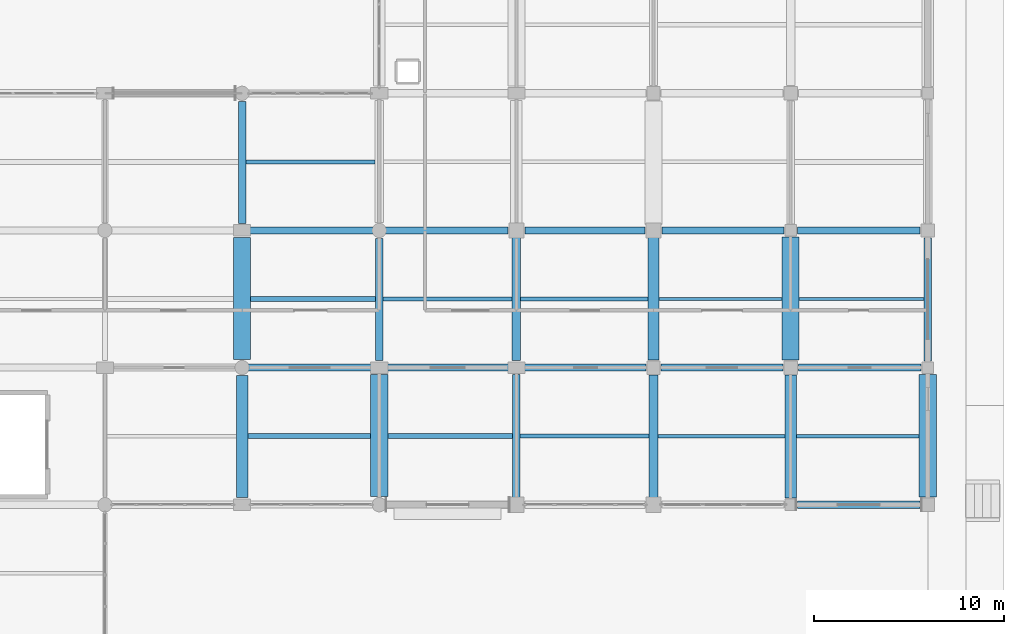
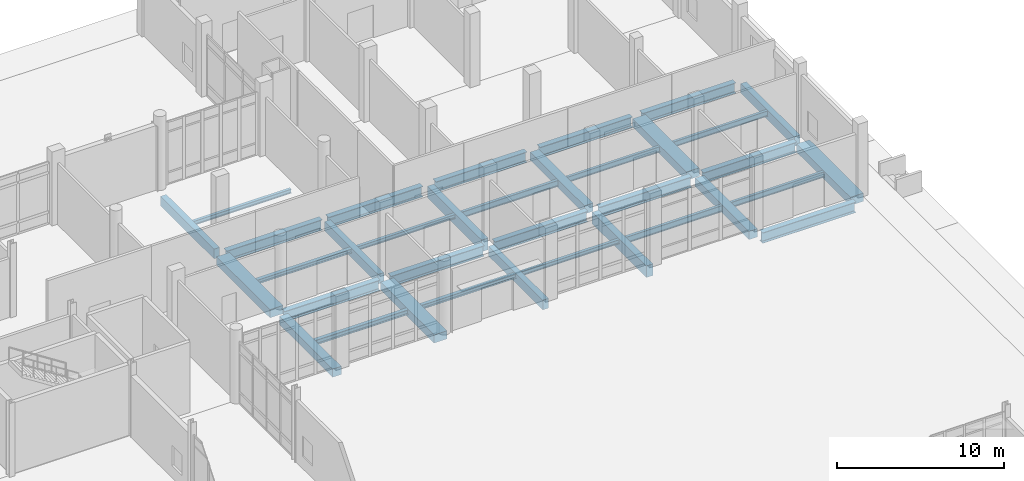
# One storey, part 131 of 229: 35 beams.
"""IFC4 building model written with IfcOpenShell, lengths in metres."""

from ifc_helpers import new_model, si_unit, direction, frame, origin, origin_2d, place, context, subcontext, project, spatial, rectangle, i_section, extrude, material, material_profile, profile_set, type_object, element, save


model = new_model("IFC4")

# Units and contexts
model_context = context("Model", 3, precision=1e-05, world=origin(), true_north=direction((0.0, 1.0)))
body_context = subcontext(model_context, "Body", "Model", "MODEL_VIEW")
ifc_project = project(units=[si_unit("LENGTHUNIT", "METRE"), si_unit("AREAUNIT", "SQUARE_METRE"), si_unit("VOLUMEUNIT", "CUBIC_METRE"), si_unit("PLANEANGLEUNIT", "RADIAN"), si_unit("MASSUNIT", "GRAM", prefix="KILO")], contexts=[model_context])

# Site, building, storey
site_placement = place(None, origin())
site = spatial("IfcSite", under=ifc_project, at=site_placement, CompositionType="ELEMENT")
building_placement = place(site_placement, origin())
building = spatial("IfcBuilding", under=site, at=building_placement, Name="Calvrana Isthmian Art Gallery", CompositionType="ELEMENT")
storey_placement = place(building_placement, origin())
storey = spatial("IfcBuildingStorey", under=building, at=storey_placement, Name="L00", CompositionType="ELEMENT", Elevation=0.0)

# Beams
ifc_material_1 = material(Name="Steel ASTM A992 Gr 50", Category="steel")
ifc_material_profile_1 = material_profile(ifc_material_1, i_section(OverallWidth=0.381103515625, OverallDepth=0.77197265625, WebThickness=0.0166015625, FlangeThickness=0.027099609375, FilletRadius=0.02490234375, at=origin_2d()), Name="W30X173")
ifc_profile_set_1 = profile_set([ifc_material_profile_1], Name="Steel ASTM A992 Gr 50")
beam_type_1 = type_object("IfcBeamType", Name="BM-G-W30X173", PredefinedType="BEAM", material=ifc_profile_set_1)
beam_1_placement = place(storey_placement, frame((156.35009765625, 76.800048828125, -0.740966796875), z_axis=(1.0, 0.0, 0.0), x_axis=(0.0, 1.0, 0.0)))
element("IfcBeam", 1, at=beam_1_placement, inside=storey, type_object=beam_type_1, Name="Girder X L00 21-22/K", PredefinedType="BEAM", context=body_context, shape_type="SweptSolid", body=[
    extrude(i_section(OverallWidth=0.381103515625, OverallDepth=0.77197265625, WebThickness=0.0166015625, FlangeThickness=0.027099609375, FilletRadius=0.02490234375, at=origin_2d()), origin(), (0.0, 0.0, 1.0), 6.449951171875),
])
beam_2_placement = place(storey_placement, frame((127.425048828125, 84.0, -0.740966796875), z_axis=(1.0, 0.0, 0.0), x_axis=(0.0, 1.0, 0.0)))
element("IfcBeam", 2, at=beam_2_placement, inside=storey, type_object=beam_type_1, Name="Girder X L00 17-18/L", PredefinedType="BEAM", context=body_context, shape_type="SweptSolid", body=[
    extrude(i_section(OverallWidth=0.381103515625, OverallDepth=0.77197265625, WebThickness=0.0166015625, FlangeThickness=0.027099609375, FilletRadius=0.02490234375, at=origin_2d()), origin(), (0.0, 0.0, 1.0), 6.599853515625),
])
beam_3_placement = place(storey_placement, frame((134.77490234375, 84.0, -0.740966796875), z_axis=(1.0, 0.0, 0.0), x_axis=(0.0, 1.0, 0.0)))
element("IfcBeam", 3, at=beam_3_placement, inside=storey, type_object=beam_type_1, Name="Girder X L00 18-19/L", PredefinedType="BEAM", context=body_context, shape_type="SweptSolid", body=[
    extrude(i_section(OverallWidth=0.381103515625, OverallDepth=0.77197265625, WebThickness=0.0166015625, FlangeThickness=0.027099609375, FilletRadius=0.02490234375, at=origin_2d()), origin(), (0.0, 0.0, 1.0), 6.4501953125),
])
beam_4_placement = place(storey_placement, frame((141.97509765625, 84.0, -0.740966796875), z_axis=(1.0, 0.0, 0.0), x_axis=(0.0, 1.0, 0.0)))
element("IfcBeam", 4, at=beam_4_placement, inside=storey, type_object=beam_type_1, Name="Girder X L00 19-20/L", PredefinedType="BEAM", context=body_context, shape_type="SweptSolid", body=[
    extrude(i_section(OverallWidth=0.381103515625, OverallDepth=0.77197265625, WebThickness=0.0166015625, FlangeThickness=0.027099609375, FilletRadius=0.02490234375, at=origin_2d()), origin(), (0.0, 0.0, 1.0), 6.4248046875),
])
beam_5_placement = place(storey_placement, frame((149.199951171875, 84.0, -0.740966796875), z_axis=(1.0, 0.0, 0.0), x_axis=(0.0, 1.0, 0.0)))
element("IfcBeam", 5, at=beam_5_placement, inside=storey, type_object=beam_type_1, Name="Girder X L00 20-21/L", PredefinedType="BEAM", context=body_context, shape_type="SweptSolid", body=[
    extrude(i_section(OverallWidth=0.381103515625, OverallDepth=0.77197265625, WebThickness=0.0166015625, FlangeThickness=0.027099609375, FilletRadius=0.02490234375, at=origin_2d()), origin(), (0.0, 0.0, 1.0), 6.400146484375),
])
beam_6_placement = place(storey_placement, frame((156.39990234375, 84.0, -0.740966796875), z_axis=(1.0, 0.0, 0.0), x_axis=(0.0, 1.0, 0.0)))
element("IfcBeam", 6, at=beam_6_placement, inside=storey, type_object=beam_type_1, Name="Girder X L00 21-22/L", PredefinedType="BEAM", context=body_context, shape_type="SweptSolid", body=[
    extrude(i_section(OverallWidth=0.381103515625, OverallDepth=0.77197265625, WebThickness=0.0166015625, FlangeThickness=0.027099609375, FilletRadius=0.02490234375, at=origin_2d()), origin(), (0.0, 0.0, 1.0), 6.4501953125),
])
beam_7_placement = place(storey_placement, frame((127.574951171875, 91.199951171875, -0.740966796875), z_axis=(1.0, 0.0, 0.0), x_axis=(0.0, 1.0, 0.0)))
element("IfcBeam", 7, at=beam_7_placement, inside=storey, type_object=beam_type_1, Name="Girder X L00 17-18/M", PredefinedType="BEAM", context=body_context, shape_type="SweptSolid", body=[
    extrude(i_section(OverallWidth=0.381103515625, OverallDepth=0.77197265625, WebThickness=0.0166015625, FlangeThickness=0.027099609375, FilletRadius=0.02490234375, at=origin_2d()), origin(), (0.0, 0.0, 1.0), 6.60009765625),
])
beam_8_placement = place(storey_placement, frame((134.625, 91.199951171875, -0.740966796875), z_axis=(1.0, 0.0, 0.0), x_axis=(0.0, 1.0, 0.0)))
element("IfcBeam", 8, at=beam_8_placement, inside=storey, type_object=beam_type_1, Name="Girder X L00 18-19/M", PredefinedType="BEAM", context=body_context, shape_type="SweptSolid", body=[
    extrude(i_section(OverallWidth=0.381103515625, OverallDepth=0.77197265625, WebThickness=0.0166015625, FlangeThickness=0.027099609375, FilletRadius=0.02490234375, at=origin_2d()), origin(), (0.0, 0.0, 1.0), 6.52490234375),
])
beam_9_placement = place(storey_placement, frame((142.050048828125, 91.199951171875, -0.740966796875), z_axis=(1.0, 0.0, 0.0), x_axis=(0.0, 1.0, 0.0)))
element("IfcBeam", 9, at=beam_9_placement, inside=storey, type_object=beam_type_1, Name="Girder X L00 19-20/M", PredefinedType="BEAM", context=body_context, shape_type="SweptSolid", body=[
    extrude(i_section(OverallWidth=0.381103515625, OverallDepth=0.77197265625, WebThickness=0.0166015625, FlangeThickness=0.027099609375, FilletRadius=0.02490234375, at=origin_2d()), origin(), (0.0, 0.0, 1.0), 6.300048828125),
])
beam_10_placement = place(storey_placement, frame((149.25, 91.199951171875, -0.740966796875), z_axis=(1.0, 0.0, 0.0), x_axis=(0.0, 1.0, 0.0)))
element("IfcBeam", 10, at=beam_10_placement, inside=storey, type_object=beam_type_1, Name="Girder X L00 20-21/M", PredefinedType="BEAM", context=body_context, shape_type="SweptSolid", body=[
    extrude(i_section(OverallWidth=0.381103515625, OverallDepth=0.77197265625, WebThickness=0.0166015625, FlangeThickness=0.027099609375, FilletRadius=0.02490234375, at=origin_2d()), origin(), (0.0, 0.0, 1.0), 6.39990234375),
])
beam_11_placement = place(storey_placement, frame((156.35009765625, 91.199951171875, -0.740966796875), z_axis=(1.0, 0.0, 0.0), x_axis=(0.0, 1.0, 0.0)))
element("IfcBeam", 11, at=beam_11_placement, inside=storey, type_object=beam_type_1, Name="Girder X L00 21-22/M", PredefinedType="BEAM", context=body_context, shape_type="SweptSolid", body=[
    extrude(i_section(OverallWidth=0.381103515625, OverallDepth=0.77197265625, WebThickness=0.0166015625, FlangeThickness=0.027099609375, FilletRadius=0.02490234375, at=origin_2d()), origin(), (0.0, 0.0, 1.0), 6.449951171875),
])
ifc_material_profile_2 = material_profile(ifc_material_1, i_section(OverallWidth=0.202880859375, OverallDepth=0.302001953125, WebThickness=0.007568359375, FlangeThickness=0.01318359375, FilletRadius=0.01611328125, at=origin_2d()), Name="W12X40")
ifc_profile_set_2 = profile_set([ifc_material_profile_2], Name="Steel ASTM A992 Gr 50")
beam_type_2 = type_object("IfcBeamType", Name="BM-J-W12X40", PredefinedType="JOIST", material=ifc_profile_set_2)
beam_12_placement = place(storey_placement, frame((127.39990234375, 94.800048828125, -0.506103515625), z_axis=(1.0, 0.0, 0.0), x_axis=(0.0, 1.0, 0.0)))
element("IfcBeam", 12, at=beam_12_placement, inside=storey, type_object=beam_type_2, Name="Composite joist L00 bay 16-12", PredefinedType="JOIST", context=body_context, shape_type="SweptSolid", body=[
    extrude(i_section(OverallWidth=0.202880859375, OverallDepth=0.302001953125, WebThickness=0.007568359375, FlangeThickness=0.01318359375, FilletRadius=0.01611328125, at=origin_2d()), origin(), (0.0, 0.0, 1.0), 6.775146484375),
])
for number, where, z_axis, x_axis, name in (
    (13, (134.60009765625, 87.60009765625, -0.506103515625), (1.0, 0.0, 0.0), (0.0, 1.0, 0.0), "Composite joist L00 bay 17-11"),
    (14, (141.800048828125, 80.39990234375, -0.506103515625), (1.0, 0.0, 0.0), (0.0, 1.0, 0.0), "Composite joist L00 bay 18-10"),
):
    element("IfcBeam", number, at=place(storey_placement, frame(where, z_axis=z_axis, x_axis=x_axis)), inside=storey, type_object=beam_type_2, Name=name, PredefinedType="JOIST", context=body_context, shape_type="SweptSolid", body=[
        extrude(i_section(OverallWidth=0.202880859375, OverallDepth=0.302001953125, WebThickness=0.007568359375, FlangeThickness=0.01318359375, FilletRadius=0.01611328125, at=origin_2d()), origin(), (0.0, 0.0, 1.0), 6.77490234375),
    ])
ifc_material_profile_3 = material_profile(ifc_material_1, i_section(OverallWidth=0.25390625, OverallDepth=0.306884765625, WebThickness=0.0087890625, FlangeThickness=0.0146484375, FilletRadius=0.01611328125, at=origin_2d()), Name="W12X53")
ifc_profile_set_3 = profile_set([ifc_material_profile_3], Name="Steel ASTM A992 Gr 50")
beam_type_3 = type_object("IfcBeamType", Name="BM-J-W12X53", PredefinedType="JOIST", material=ifc_profile_set_3)
beam_13_placement = place(storey_placement, frame((127.64990234375, 87.60009765625, -0.508544921875), z_axis=(1.0, 0.0, 0.0), x_axis=(0.0, 1.0, 0.0)))
element("IfcBeam", 15, at=beam_13_placement, inside=storey, type_object=beam_type_3, Name="Composite joist L00 bay 16-11", PredefinedType="JOIST", context=body_context, shape_type="SweptSolid", body=[
    extrude(i_section(OverallWidth=0.25390625, OverallDepth=0.306884765625, WebThickness=0.0087890625, FlangeThickness=0.0146484375, FilletRadius=0.01611328125, at=origin_2d()), origin(), (0.0, 0.0, 1.0), 6.550048828125),
])
beam_14_placement = place(storey_placement, frame((134.85009765625, 80.39990234375, -0.508544921875), z_axis=(1.0, 0.0, 0.0), x_axis=(0.0, 1.0, 0.0)))
element("IfcBeam", 16, at=beam_14_placement, inside=storey, type_object=beam_type_3, Name="Composite joist L00 bay 17-10", PredefinedType="JOIST", context=body_context, shape_type="SweptSolid", body=[
    extrude(i_section(OverallWidth=0.25390625, OverallDepth=0.306884765625, WebThickness=0.0087890625, FlangeThickness=0.0146484375, FilletRadius=0.01611328125, at=origin_2d()), origin(), (0.0, 0.0, 1.0), 6.5498046875),
])
ifc_material_profile_4 = material_profile(ifc_material_1, i_section(OverallWidth=0.25390625, OverallDepth=0.35302734375, WebThickness=0.009521484375, FlangeThickness=0.016357421875, FilletRadius=0.01806640625, at=origin_2d()), Name="W14X61")
ifc_profile_set_4 = profile_set([ifc_material_profile_4], Name="Steel ASTM A992 Gr 50")
beam_type_4 = type_object("IfcBeamType", Name="BM-J-W14X61", PredefinedType="JOIST", material=ifc_profile_set_4)
beam_15_placement = place(storey_placement, frame((127.5, 80.39990234375, -0.531494140625), z_axis=(1.0, 0.0, 0.0), x_axis=(0.0, 1.0, 0.0)))
element("IfcBeam", 17, at=beam_15_placement, inside=storey, type_object=beam_type_4, Name="Composite joist L00 bay 16-10", PredefinedType="JOIST", context=body_context, shape_type="SweptSolid", body=[
    extrude(i_section(OverallWidth=0.25390625, OverallDepth=0.35302734375, WebThickness=0.009521484375, FlangeThickness=0.016357421875, FilletRadius=0.01806640625, at=origin_2d()), origin(), (0.0, 0.0, 1.0), 6.449951171875),
])
ifc_material_profile_5 = material_profile(ifc_material_1, i_section(OverallWidth=0.177978515625, OverallDepth=0.404052734375, WebThickness=0.007568359375, FlangeThickness=0.010986328125, FilletRadius=0.01806640625, at=origin_2d()), Name="W16X36")
ifc_profile_set_5 = profile_set([ifc_material_profile_5], Name="Steel ASTM A992 Gr 50")
beam_type_5 = type_object("IfcBeamType", Name="BM-J-W16X36", PredefinedType="JOIST", material=ifc_profile_set_5)
beam_16_placement = place(storey_placement, frame((156.449951171875, 87.60009765625, -0.556884765625), z_axis=(1.0, 0.0, 0.0), x_axis=(0.0, 1.0, 0.0)))
element("IfcBeam", 18, at=beam_16_placement, inside=storey, type_object=beam_type_5, Name="Composite joist L00 bay 20-11", PredefinedType="JOIST", context=body_context, shape_type="SweptSolid", body=[
    extrude(i_section(OverallWidth=0.177978515625, OverallDepth=0.404052734375, WebThickness=0.007568359375, FlangeThickness=0.010986328125, FilletRadius=0.01806640625, at=origin_2d()), origin(), (0.0, 0.0, 1.0), 6.550048828125),
])
ifc_material_profile_6 = material_profile(ifc_material_1, i_section(OverallWidth=0.179931640625, OverallDepth=0.4140625, WebThickness=0.009765625, FlangeThickness=0.01611328125, FilletRadius=0.01806640625, at=origin_2d()), Name="W16X50")
ifc_profile_set_6 = profile_set([ifc_material_profile_6], Name="Steel ASTM A992 Gr 50")
beam_type_6 = type_object("IfcBeamType", Name="BM-J-W16X50", PredefinedType="JOIST", material=ifc_profile_set_6)
for number, where, z_axis, x_axis, name in (
    (19, (149.10009765625, 87.60009765625, -0.56201171875), (1.0, 0.0, 0.0), (0.0, 1.0, 0.0), "Composite joist L00 bay 19-11"),
    (20, (156.300048828125, 80.39990234375, -0.56201171875), (1.0, 0.0, 0.0), (0.0, 1.0, 0.0), "Composite joist L00 bay 20-10"),
):
    element("IfcBeam", number, at=place(storey_placement, frame(where, z_axis=z_axis, x_axis=x_axis)), inside=storey, type_object=beam_type_6, Name=name, PredefinedType="JOIST", context=body_context, shape_type="SweptSolid", body=[
        extrude(i_section(OverallWidth=0.179931640625, OverallDepth=0.4140625, WebThickness=0.009765625, FlangeThickness=0.01611328125, FilletRadius=0.01806640625, at=origin_2d()), origin(), (0.0, 0.0, 1.0), 6.449951171875),
    ])
ifc_material_profile_7 = material_profile(ifc_material_1, i_section(OverallWidth=0.19091796875, OverallDepth=0.45703125, WebThickness=0.009033203125, FlangeThickness=0.014404296875, FilletRadius=0.02001953125, at=origin_2d()), Name="W18X50")
ifc_profile_set_7 = profile_set([ifc_material_profile_7], Name="Steel ASTM A992 Gr 50")
beam_type_7 = type_object("IfcBeamType", Name="BM-J-W18X50", PredefinedType="JOIST", material=ifc_profile_set_7)
for number, where, z_axis, x_axis, name in (
    (21, (141.824951171875, 87.60009765625, -0.58349609375), (1.0, 0.0, 0.0), (0.0, 1.0, 0.0), "Composite joist L00 bay 18-11"),
    (22, (149.02490234375, 80.39990234375, -0.58349609375), (1.0, 0.0, 0.0), (0.0, 1.0, 0.0), "Composite joist L00 bay 19-10"),
):
    element("IfcBeam", number, at=place(storey_placement, frame(where, z_axis=z_axis, x_axis=x_axis)), inside=storey, type_object=beam_type_7, Name=name, PredefinedType="JOIST", context=body_context, shape_type="SweptSolid", body=[
        extrude(i_section(OverallWidth=0.19091796875, OverallDepth=0.45703125, WebThickness=0.009033203125, FlangeThickness=0.014404296875, FilletRadius=0.02001953125, at=origin_2d()), origin(), (0.0, 0.0, 1.0), 6.675048828125),
    ])
ifc_material_2 = material(Name="Concrete C40/50", Category="concrete")
ifc_material_profile_8 = material_profile(ifc_material_2, rectangle(XDim=0.39990234375, YDim=0.699951171875, at=origin_2d()), Name="RC400X700")
ifc_profile_set_8 = profile_set([ifc_material_profile_8], Name="Concrete C40/50")
beam_type_8 = type_object("IfcBeamType", Name="BM-RC-400X700", PredefinedType="BEAM", material=ifc_profile_set_8)
beam_17_placement = place(storey_placement, frame((127.199951171875, 91.574951171875, -0.705078125), z_axis=(0.0, 1.0, 0.0), x_axis=(-1.0, 0.0, 0.0)))
element("IfcBeam", 23, at=beam_17_placement, inside=storey, type_object=beam_type_8, Name="Girder Y L00 17/M-N", PredefinedType="BEAM", context=body_context, shape_type="SweptSolid", body=[
    extrude(rectangle(XDim=0.39990234375, YDim=0.699951171875, at=origin_2d()), origin(), (0.0, 0.0, 1.0), 6.400146484375),
])
beam_18_placement = place(storey_placement, frame((134.39990234375, 84.375, -0.705078125), z_axis=(0.0, 1.0, 0.0), x_axis=(-1.0, 0.0, 0.0)))
element("IfcBeam", 24, at=beam_18_placement, inside=storey, type_object=beam_type_8, Name="Girder Y L00 18/L-M", PredefinedType="BEAM", context=body_context, shape_type="SweptSolid", body=[
    extrude(rectangle(XDim=0.39990234375, YDim=0.699951171875, at=origin_2d()), origin(), (0.0, 0.0, 1.0), 6.39990234375),
])
beam_19_placement = place(storey_placement, frame((141.60009765625, 77.10009765625, -0.705078125), z_axis=(0.0, 1.0, 0.0), x_axis=(-1.0, 0.0, 0.0)))
element("IfcBeam", 25, at=beam_19_placement, inside=storey, type_object=beam_type_8, Name="Girder Y L00 19/K-L", PredefinedType="BEAM", context=body_context, shape_type="SweptSolid", body=[
    extrude(rectangle(XDim=0.39990234375, YDim=0.699951171875, at=origin_2d()), origin(), (0.0, 0.0, 1.0), 6.52490234375),
])
beam_20_placement = place(storey_placement, frame((163.199951171875, 84.35009765625, -0.705078125), z_axis=(0.0, 1.0, 0.0), x_axis=(-1.0, 0.0, 0.0)))
element("IfcBeam", 26, at=beam_20_placement, inside=storey, type_object=beam_type_8, Name="Girder Y L00 22/L-M", PredefinedType="BEAM", context=body_context, shape_type="SweptSolid", body=[
    extrude(rectangle(XDim=0.39990234375, YDim=0.699951171875, at=origin_2d()), origin(), (0.0, 0.0, 1.0), 6.449951171875),
])
ifc_material_profile_9 = material_profile(ifc_material_2, rectangle(XDim=0.449951171875, YDim=0.85009765625, at=origin_2d()), Name="RC450X850")
ifc_profile_set_9 = profile_set([ifc_material_profile_9], Name="Concrete C40/50")
beam_type_9 = type_object("IfcBeamType", Name="BM-RC-450X850", PredefinedType="BEAM", material=ifc_profile_set_9)
beam_21_placement = place(storey_placement, frame((141.60009765625, 84.375, -0.780029296875), z_axis=(0.0, 1.0, 0.0), x_axis=(-1.0, 0.0, 0.0)))
element("IfcBeam", 27, at=beam_21_placement, inside=storey, type_object=beam_type_9, Name="Girder Y L00 19/L-M", PredefinedType="BEAM", context=body_context, shape_type="SweptSolid", body=[
    extrude(rectangle(XDim=0.449951171875, YDim=0.85009765625, at=origin_2d()), origin(), (0.0, 0.0, 1.0), 6.52490234375),
])
beam_22_placement = place(storey_placement, frame((148.800048828125, 77.10009765625, -0.780029296875), z_axis=(0.0, 1.0, 0.0), x_axis=(-1.0, 0.0, 0.0)))
element("IfcBeam", 28, at=beam_22_placement, inside=storey, type_object=beam_type_9, Name="Girder Y L00 20/K-L", PredefinedType="BEAM", context=body_context, shape_type="SweptSolid", body=[
    extrude(rectangle(XDim=0.449951171875, YDim=0.85009765625, at=origin_2d()), origin(), (0.0, 0.0, 1.0), 6.5),
])
ifc_material_profile_10 = material_profile(ifc_material_2, rectangle(XDim=0.60009765625, YDim=0.60009765625, at=origin_2d()), Name="RC600X600")
ifc_profile_set_10 = profile_set([ifc_material_profile_10], Name="Concrete C40/50")
beam_type_10 = type_object("IfcBeamType", Name="BM-RC-600X600", PredefinedType="BEAM", material=ifc_profile_set_10)
beam_23_placement = place(storey_placement, frame((127.199951171875, 77.175048828125, -0.655029296875), z_axis=(0.0, 1.0, 0.0), x_axis=(-1.0, 0.0, 0.0)))
element("IfcBeam", 29, at=beam_23_placement, inside=storey, type_object=beam_type_10, Name="Girder Y L00 17/K-L", PredefinedType="BEAM", context=body_context, shape_type="SweptSolid", body=[
    extrude(rectangle(XDim=0.60009765625, YDim=0.60009765625, at=origin_2d()), origin(), (0.0, 0.0, 1.0), 6.39990234375),
])
beam_24_placement = place(storey_placement, frame((148.800048828125, 84.39990234375, -0.655029296875), z_axis=(0.0, 1.0, 0.0), x_axis=(-1.0, 0.0, 0.0)))
element("IfcBeam", 30, at=beam_24_placement, inside=storey, type_object=beam_type_10, Name="Girder Y L00 20/L-M", PredefinedType="BEAM", context=body_context, shape_type="SweptSolid", body=[
    extrude(rectangle(XDim=0.60009765625, YDim=0.60009765625, at=origin_2d()), origin(), (0.0, 0.0, 1.0), 6.5),
])
beam_25_placement = place(storey_placement, frame((156.0, 77.14990234375, -0.655029296875), z_axis=(0.0, 1.0, 0.0), x_axis=(-1.0, 0.0, 0.0)))
element("IfcBeam", 31, at=beam_25_placement, inside=storey, type_object=beam_type_10, Name="Girder Y L00 21/K-L", PredefinedType="BEAM", context=body_context, shape_type="SweptSolid", body=[
    extrude(rectangle(XDim=0.60009765625, YDim=0.60009765625, at=origin_2d()), origin(), (0.0, 0.0, 1.0), 6.4501953125),
])
ifc_material_profile_11 = material_profile(ifc_material_2, rectangle(XDim=0.89990234375, YDim=0.60009765625, at=origin_2d()), Name="RC900X600")
ifc_profile_set_11 = profile_set([ifc_material_profile_11], Name="Concrete C40/50")
beam_type_11 = type_object("IfcBeamType", Name="BM-RC-900X600", PredefinedType="BEAM", material=ifc_profile_set_11)
for number, where, z_axis, x_axis, name in (
    (32, (127.199951171875, 84.425048828125, -0.655029296875), (0.0, 1.0, 0.0), (-1.0, 0.0, 0.0), "Girder Y L00 17/L-M"),
    (33, (134.39990234375, 77.22509765625, -0.655029296875), (0.0, 1.0, 0.0), (-1.0, 0.0, 0.0), "Girder Y L00 18/K-L"),
):
    element("IfcBeam", number, at=place(storey_placement, frame(where, z_axis=z_axis, x_axis=x_axis)), inside=storey, type_object=beam_type_11, Name=name, PredefinedType="BEAM", context=body_context, shape_type="SweptSolid", body=[
        extrude(rectangle(XDim=0.89990234375, YDim=0.60009765625, at=origin_2d()), origin(), (0.0, 0.0, 1.0), 6.39990234375),
    ])
beam_26_placement = place(storey_placement, frame((156.0, 84.39990234375, -0.655029296875), z_axis=(0.0, 1.0, 0.0), x_axis=(-1.0, 0.0, 0.0)))
element("IfcBeam", 34, at=beam_26_placement, inside=storey, type_object=beam_type_11, Name="Girder Y L00 21/L-M", PredefinedType="BEAM", context=body_context, shape_type="SweptSolid", body=[
    extrude(rectangle(XDim=0.89990234375, YDim=0.60009765625, at=origin_2d()), origin(), (0.0, 0.0, 1.0), 6.4501953125),
])
beam_27_placement = place(storey_placement, frame((163.199951171875, 77.199951171875, -0.655029296875), z_axis=(0.0, 1.0, 0.0), x_axis=(-1.0, 0.0, 0.0)))
element("IfcBeam", 35, at=beam_27_placement, inside=storey, type_object=beam_type_11, Name="Girder Y L00 22/K-L", PredefinedType="BEAM", context=body_context, shape_type="SweptSolid", body=[
    extrude(rectangle(XDim=0.89990234375, YDim=0.60009765625, at=origin_2d()), origin(), (0.0, 0.0, 1.0), 6.449951171875),
])

save(model, "model.ifc")
